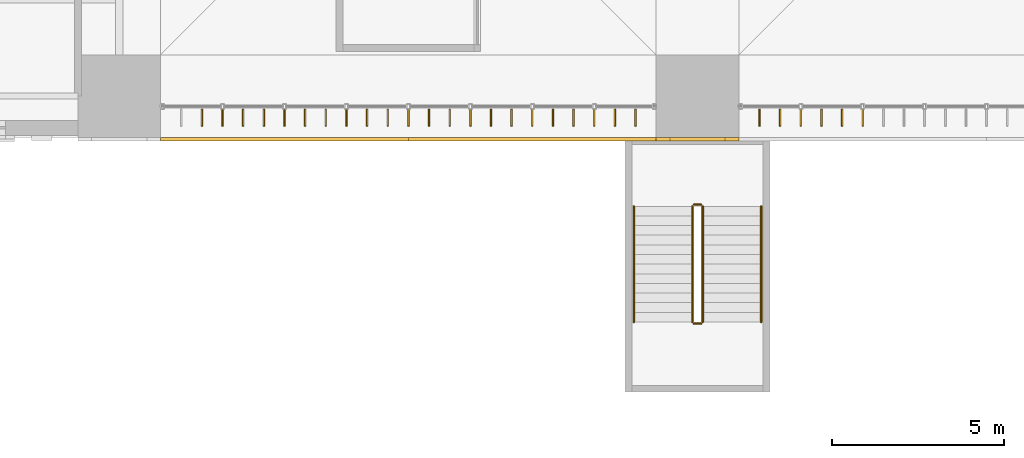
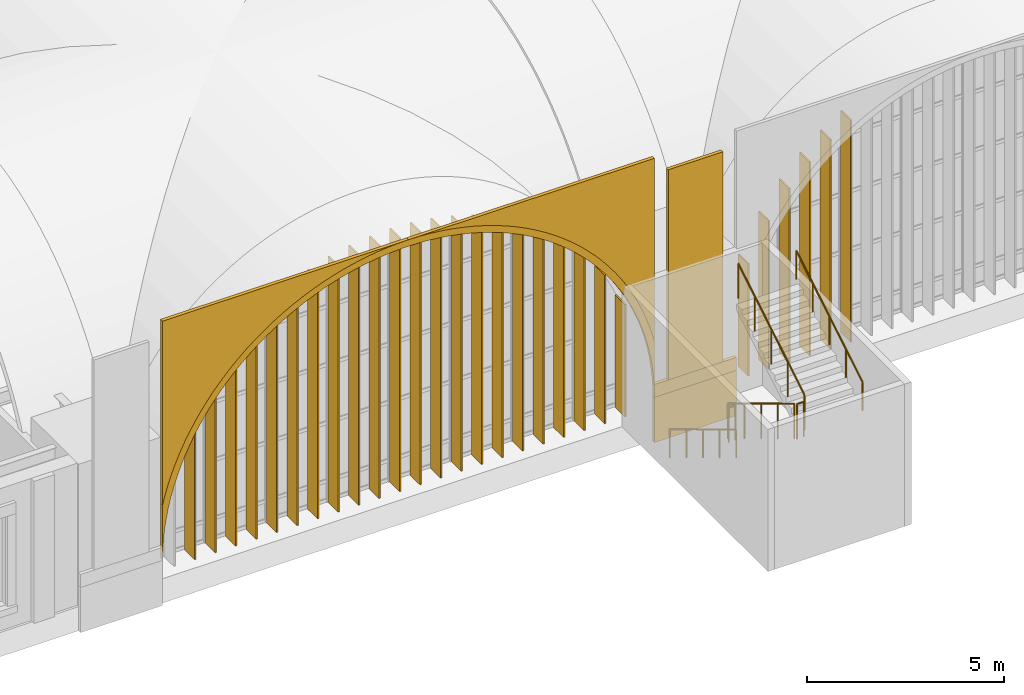
# One storey, part 148 of 169: 28 shading devices, 6 coverings, 6 railings.
"""IFC4 building model written with IfcOpenShell, lengths in metres."""

from ifc_helpers import new_model, si_unit, direction, frame, origin, origin_2d, place, context, subcontext, project, spatial, polyline, rectangle, circle, outline, extrude, material, layer, layer_set, type_object, element, save


model = new_model("IFC4")

# Units and contexts
model_context = context("Model", 3, precision=1e-05, world=origin(), true_north=direction((0.0, 1.0)))
body_context = subcontext(model_context, "Body", "Model", "MODEL_VIEW")
ifc_project = project(units=[si_unit("LENGTHUNIT", "METRE"), si_unit("AREAUNIT", "SQUARE_METRE"), si_unit("VOLUMEUNIT", "CUBIC_METRE"), si_unit("PLANEANGLEUNIT", "RADIAN"), si_unit("MASSUNIT", "GRAM", prefix="KILO")], contexts=[model_context])

# Site, building, storey
site_placement = place(None, origin())
site = spatial("IfcSite", under=ifc_project, at=site_placement, CompositionType="ELEMENT")
building_placement = place(site_placement, origin())
building = spatial("IfcBuilding", under=site, at=building_placement, Name="Verrick Yard Athletic Hall", CompositionType="ELEMENT")
storey_placement = place(building_placement, frame((0.0, 0.0, 4.39990234375)))
storey = spatial("IfcBuildingStorey", under=building, at=storey_placement, Name="L01", CompositionType="ELEMENT", Elevation=4.39990234375)

# Shading devices
ifc_material_1 = material(Name="Anodised aluminium", Category="aluminium")
ifc_layer_1 = layer(ifc_material_1, 0.0400390625)
ifc_layer_set_1 = layer_set([ifc_layer_1], Name="Arcade fin")
shading_device_type = type_object("IfcShadingDeviceType", Name="Arcade fin", PredefinedType="USERDEFINED", material=ifc_layer_set_1)
shading_device_1_placement = place(storey_placement, frame((42.39990234375, 18.82373046875, 0.0), z_axis=(0.0, 0.0, 1.0), x_axis=(0.0, -1.0, 0.0)))
element("IfcShadingDevice", 1, at=shading_device_1_placement, inside=storey, type_object=shading_device_type, Name="Fin RS1.2", ObjectType="FIN", PredefinedType="USERDEFINED", context=body_context, shape_type="SweptSolid", body=[
    extrude(outline(polyline([(0.0, 0.0), (0.5, 0.0), (0.5, 4.5966796875), (0.0, 4.5966796875), (0.0, 0.0)])), frame((0.0, 0.02001953125, 0.0), z_axis=(0.0, -1.0, 0.0), x_axis=(1.0, 0.0, 0.0)), (0.0, 0.0, 1.0), 0.0400390625),
])
shading_device_2_placement = place(storey_placement, frame((43.0, 18.82373046875, 0.0), z_axis=(0.0, 0.0, 1.0), x_axis=(0.0, -1.0, 0.0)))
element("IfcShadingDevice", 2, at=shading_device_2_placement, inside=storey, type_object=shading_device_type, Name="Fin RS1.3", ObjectType="FIN", PredefinedType="USERDEFINED", context=body_context, shape_type="SweptSolid", body=[
    extrude(outline(polyline([(0.0, 0.0), (0.5, 0.0), (0.5, 5.38671875), (0.0, 5.38671875), (0.0, 0.0)])), frame((0.0, 0.02001953125, 0.0), z_axis=(0.0, -1.0, 0.0), x_axis=(1.0, 0.0, 0.0)), (0.0, 0.0, 1.0), 0.0400390625),
])
shading_device_3_placement = place(storey_placement, frame((43.60009765625, 18.82373046875, 0.0), z_axis=(0.0, 0.0, 1.0), x_axis=(0.0, -1.0, 0.0)))
element("IfcShadingDevice", 3, at=shading_device_3_placement, inside=storey, type_object=shading_device_type, Name="Fin RS1.4", ObjectType="FIN", PredefinedType="USERDEFINED", context=body_context, shape_type="SweptSolid", body=[
    extrude(outline(polyline([(0.0, 0.0), (0.5, 0.0), (0.5, 5.996826171875), (0.0, 5.996826171875), (0.0, 0.0)])), frame((0.0, 0.02001953125, 0.0), z_axis=(0.0, -1.0, 0.0), x_axis=(1.0, 0.0, 0.0)), (0.0, 0.0, 1.0), 0.0400390625),
])
shading_device_4_placement = place(storey_placement, frame((44.199951171875, 18.82373046875, 0.0), z_axis=(0.0, 0.0, 1.0), x_axis=(0.0, -1.0, 0.0)))
element("IfcShadingDevice", 4, at=shading_device_4_placement, inside=storey, type_object=shading_device_type, Name="Fin RS1.5", ObjectType="FIN", PredefinedType="USERDEFINED", context=body_context, shape_type="SweptSolid", body=[
    extrude(outline(polyline([(0.0, 0.0), (0.5, 0.0), (0.5, 6.481201171875), (0.0, 6.481201171875), (0.0, 0.0)])), frame((0.0, 0.02001953125, 0.0), z_axis=(0.0, -1.0, 0.0), x_axis=(1.0, 0.0, 0.0)), (0.0, 0.0, 1.0), 0.0400390625),
])
shading_device_5_placement = place(storey_placement, frame((44.800048828125, 18.82373046875, 0.0), z_axis=(0.0, 0.0, 1.0), x_axis=(0.0, -1.0, 0.0)))
element("IfcShadingDevice", 5, at=shading_device_5_placement, inside=storey, type_object=shading_device_type, Name="Fin RS1.6", ObjectType="FIN", PredefinedType="USERDEFINED", context=body_context, shape_type="SweptSolid", body=[
    extrude(outline(polyline([(0.0, 0.0), (0.5, 0.0), (0.5, 6.872802734375), (0.0, 6.872802734375), (0.0, 0.0)])), frame((0.0, 0.02001953125, 0.0), z_axis=(0.0, -1.0, 0.0), x_axis=(1.0, 0.0, 0.0)), (0.0, 0.0, 1.0), 0.0400390625),
])
shading_device_6_placement = place(storey_placement, frame((45.39990234375, 18.82373046875, 0.0), z_axis=(0.0, 0.0, 1.0), x_axis=(0.0, -1.0, 0.0)))
element("IfcShadingDevice", 6, at=shading_device_6_placement, inside=storey, type_object=shading_device_type, Name="Fin RS1.7", ObjectType="FIN", PredefinedType="USERDEFINED", context=body_context, shape_type="SweptSolid", body=[
    extrude(outline(polyline([(0.0, 0.0), (0.5, 0.0), (0.5, 7.18505859375), (0.0, 7.18505859375), (0.0, 0.0)])), frame((0.0, 0.02001953125, 0.0), z_axis=(0.0, -1.0, 0.0), x_axis=(1.0, 0.0, 0.0)), (0.0, 0.0, 1.0), 0.0400390625),
])
shading_device_7_placement = place(storey_placement, frame((46.0, 18.82373046875, 0.0), z_axis=(0.0, 0.0, 1.0), x_axis=(0.0, -1.0, 0.0)))
element("IfcShadingDevice", 7, at=shading_device_7_placement, inside=storey, type_object=shading_device_type, Name="Fin RS1.8", ObjectType="FIN", PredefinedType="USERDEFINED", context=body_context, shape_type="SweptSolid", body=[
    extrude(outline(polyline([(0.0, 0.0), (0.5, 0.0), (0.5, 7.4296875), (0.0, 7.4296875), (0.0, 0.0)])), frame((0.0, 0.02001953125, 0.0), z_axis=(0.0, -1.0, 0.0), x_axis=(1.0, 0.0, 0.0)), (0.0, 0.0, 1.0), 0.0400390625),
])
shading_device_8_placement = place(storey_placement, frame((46.60009765625, 18.82373046875, 0.0), z_axis=(0.0, 0.0, 1.0), x_axis=(0.0, -1.0, 0.0)))
element("IfcShadingDevice", 8, at=shading_device_8_placement, inside=storey, type_object=shading_device_type, Name="Fin RS1.9", ObjectType="FIN", PredefinedType="USERDEFINED", context=body_context, shape_type="SweptSolid", body=[
    extrude(outline(polyline([(0.0, 0.0), (0.5, 0.0), (0.5, 7.614990234375), (0.0, 7.614990234375), (0.0, 0.0)])), frame((0.0, 0.02001953125, 0.0), z_axis=(0.0, -1.0, 0.0), x_axis=(1.0, 0.0, 0.0)), (0.0, 0.0, 1.0), 0.0400390625),
])
shading_device_9_placement = place(storey_placement, frame((47.199951171875, 18.82373046875, 0.0), z_axis=(0.0, 0.0, 1.0), x_axis=(0.0, -1.0, 0.0)))
element("IfcShadingDevice", 9, at=shading_device_9_placement, inside=storey, type_object=shading_device_type, Name="Fin RS1.10", ObjectType="FIN", PredefinedType="USERDEFINED", context=body_context, shape_type="SweptSolid", body=[
    extrude(outline(polyline([(0.0, 0.0), (0.5, 0.0), (0.5, 7.744873046875), (0.0, 7.744873046875), (0.0, 0.0)])), frame((0.0, 0.02001953125, 0.0), z_axis=(0.0, -1.0, 0.0), x_axis=(1.0, 0.0, 0.0)), (0.0, 0.0, 1.0), 0.0400390625),
])
shading_device_10_placement = place(storey_placement, frame((47.800048828125, 18.82373046875, 0.0), z_axis=(0.0, 0.0, 1.0), x_axis=(0.0, -1.0, 0.0)))
element("IfcShadingDevice", 10, at=shading_device_10_placement, inside=storey, type_object=shading_device_type, Name="Fin RS1.11", ObjectType="FIN", PredefinedType="USERDEFINED", context=body_context, shape_type="SweptSolid", body=[
    extrude(outline(polyline([(0.0, 0.0), (0.5, 0.0), (0.5, 7.82275390625), (0.0, 7.82275390625), (0.0, 0.0)])), frame((0.0, 0.02001953125, 0.0), z_axis=(0.0, -1.0, 0.0), x_axis=(1.0, 0.0, 0.0)), (0.0, 0.0, 1.0), 0.0400390625),
])
shading_device_11_placement = place(storey_placement, frame((48.39990234375, 18.82373046875, 0.0), z_axis=(0.0, 0.0, 1.0), x_axis=(0.0, -1.0, 0.0)))
element("IfcShadingDevice", 11, at=shading_device_11_placement, inside=storey, type_object=shading_device_type, Name="Fin RS1.12", ObjectType="FIN", PredefinedType="USERDEFINED", context=body_context, shape_type="SweptSolid", body=[
    extrude(outline(polyline([(0.0, 0.0), (0.5, 0.0), (0.5, 7.84912109375), (0.0, 7.84912109375), (0.0, 0.0)])), frame((0.0, 0.02001953125, 0.0), z_axis=(0.0, -1.0, 0.0), x_axis=(1.0, 0.0, 0.0)), (0.0, 0.0, 1.0), 0.0400390625),
])
shading_device_12_placement = place(storey_placement, frame((49.0, 18.82373046875, 0.0), z_axis=(0.0, 0.0, 1.0), x_axis=(0.0, -1.0, 0.0)))
element("IfcShadingDevice", 12, at=shading_device_12_placement, inside=storey, type_object=shading_device_type, Name="Fin RS1.13", ObjectType="FIN", PredefinedType="USERDEFINED", context=body_context, shape_type="SweptSolid", body=[
    extrude(outline(polyline([(0.0, 0.0), (0.5, 0.0), (0.5, 7.82275390625), (0.0, 7.82275390625), (0.0, 0.0)])), frame((0.0, 0.02001953125, 0.0), z_axis=(0.0, -1.0, 0.0), x_axis=(1.0, 0.0, 0.0)), (0.0, 0.0, 1.0), 0.0400390625),
])
shading_device_13_placement = place(storey_placement, frame((49.60009765625, 18.82373046875, 0.0), z_axis=(0.0, 0.0, 1.0), x_axis=(0.0, -1.0, 0.0)))
element("IfcShadingDevice", 13, at=shading_device_13_placement, inside=storey, type_object=shading_device_type, Name="Fin RS1.14", ObjectType="FIN", PredefinedType="USERDEFINED", context=body_context, shape_type="SweptSolid", body=[
    extrude(outline(polyline([(0.0, 0.0), (0.5, 0.0), (0.5, 7.744873046875), (0.0, 7.744873046875), (0.0, 0.0)])), frame((0.0, 0.02001953125, 0.0), z_axis=(0.0, -1.0, 0.0), x_axis=(1.0, 0.0, 0.0)), (0.0, 0.0, 1.0), 0.0400390625),
])
shading_device_14_placement = place(storey_placement, frame((50.199951171875, 18.82373046875, 0.0), z_axis=(0.0, 0.0, 1.0), x_axis=(0.0, -1.0, 0.0)))
element("IfcShadingDevice", 14, at=shading_device_14_placement, inside=storey, type_object=shading_device_type, Name="Fin RS1.15", ObjectType="FIN", PredefinedType="USERDEFINED", context=body_context, shape_type="SweptSolid", body=[
    extrude(outline(polyline([(0.0, 0.0), (0.5, 0.0), (0.5, 7.614990234375), (0.0, 7.614990234375), (0.0, 0.0)])), frame((0.0, 0.02001953125, 0.0), z_axis=(0.0, -1.0, 0.0), x_axis=(1.0, 0.0, 0.0)), (0.0, 0.0, 1.0), 0.0400390625),
])
shading_device_15_placement = place(storey_placement, frame((50.800048828125, 18.82373046875, 0.0), z_axis=(0.0, 0.0, 1.0), x_axis=(0.0, -1.0, 0.0)))
element("IfcShadingDevice", 15, at=shading_device_15_placement, inside=storey, type_object=shading_device_type, Name="Fin RS1.16", ObjectType="FIN", PredefinedType="USERDEFINED", context=body_context, shape_type="SweptSolid", body=[
    extrude(outline(polyline([(0.0, 0.0), (0.5, 0.0), (0.5, 7.4296875), (0.0, 7.4296875), (0.0, 0.0)])), frame((0.0, 0.02001953125, 0.0), z_axis=(0.0, -1.0, 0.0), x_axis=(1.0, 0.0, 0.0)), (0.0, 0.0, 1.0), 0.0400390625),
])
shading_device_16_placement = place(storey_placement, frame((51.39990234375, 18.82373046875, 0.0), z_axis=(0.0, 0.0, 1.0), x_axis=(0.0, -1.0, 0.0)))
element("IfcShadingDevice", 16, at=shading_device_16_placement, inside=storey, type_object=shading_device_type, Name="Fin RS1.17", ObjectType="FIN", PredefinedType="USERDEFINED", context=body_context, shape_type="SweptSolid", body=[
    extrude(outline(polyline([(0.0, 0.0), (0.5, 0.0), (0.5, 7.18505859375), (0.0, 7.18505859375), (0.0, 0.0)])), frame((0.0, 0.02001953125, 0.0), z_axis=(0.0, -1.0, 0.0), x_axis=(1.0, 0.0, 0.0)), (0.0, 0.0, 1.0), 0.0400390625),
])
shading_device_17_placement = place(storey_placement, frame((52.0, 18.82373046875, 0.0), z_axis=(0.0, 0.0, 1.0), x_axis=(0.0, -1.0, 0.0)))
element("IfcShadingDevice", 17, at=shading_device_17_placement, inside=storey, type_object=shading_device_type, Name="Fin RS1.18", ObjectType="FIN", PredefinedType="USERDEFINED", context=body_context, shape_type="SweptSolid", body=[
    extrude(outline(polyline([(0.0, 0.0), (0.5, 0.0), (0.5, 6.872802734375), (0.0, 6.872802734375), (0.0, 0.0)])), frame((0.0, 0.02001953125, 0.0), z_axis=(0.0, -1.0, 0.0), x_axis=(1.0, 0.0, 0.0)), (0.0, 0.0, 1.0), 0.0400390625),
])
shading_device_18_placement = place(storey_placement, frame((52.60009765625, 18.82373046875, 0.0), z_axis=(0.0, 0.0, 1.0), x_axis=(0.0, -1.0, 0.0)))
element("IfcShadingDevice", 18, at=shading_device_18_placement, inside=storey, type_object=shading_device_type, Name="Fin RS1.19", ObjectType="FIN", PredefinedType="USERDEFINED", context=body_context, shape_type="SweptSolid", body=[
    extrude(outline(polyline([(0.0, 0.0), (0.5, 0.0), (0.5, 6.481201171875), (0.0, 6.481201171875), (0.0, 0.0)])), frame((0.0, 0.02001953125, 0.0), z_axis=(0.0, -1.0, 0.0), x_axis=(1.0, 0.0, 0.0)), (0.0, 0.0, 1.0), 0.0400390625),
])
shading_device_19_placement = place(storey_placement, frame((53.199951171875, 18.82373046875, 0.0), z_axis=(0.0, 0.0, 1.0), x_axis=(0.0, -1.0, 0.0)))
element("IfcShadingDevice", 19, at=shading_device_19_placement, inside=storey, type_object=shading_device_type, Name="Fin RS1.20", ObjectType="FIN", PredefinedType="USERDEFINED", context=body_context, shape_type="SweptSolid", body=[
    extrude(outline(polyline([(0.0, 0.0), (0.5, 0.0), (0.5, 5.996826171875), (0.0, 5.996826171875), (0.0, 0.0)])), frame((0.0, 0.02001953125, 0.0), z_axis=(0.0, -1.0, 0.0), x_axis=(1.0, 0.0, 0.0)), (0.0, 0.0, 1.0), 0.0400390625),
])
shading_device_20_placement = place(storey_placement, frame((53.800048828125, 18.82373046875, 0.0), z_axis=(0.0, 0.0, 1.0), x_axis=(0.0, -1.0, 0.0)))
element("IfcShadingDevice", 20, at=shading_device_20_placement, inside=storey, type_object=shading_device_type, Name="Fin RS1.21", ObjectType="FIN", PredefinedType="USERDEFINED", context=body_context, shape_type="SweptSolid", body=[
    extrude(outline(polyline([(0.0, 0.0), (0.5, 0.0), (0.5, 5.38671875), (0.0, 5.38671875), (0.0, 0.0)])), frame((0.0, 0.02001953125, 0.0), z_axis=(0.0, -1.0, 0.0), x_axis=(1.0, 0.0, 0.0)), (0.0, 0.0, 1.0), 0.0400390625),
])
shading_device_21_placement = place(storey_placement, frame((54.39990234375, 18.82373046875, 0.0), z_axis=(0.0, 0.0, 1.0), x_axis=(0.0, -1.0, 0.0)))
element("IfcShadingDevice", 21, at=shading_device_21_placement, inside=storey, type_object=shading_device_type, Name="Fin RS1.22", ObjectType="FIN", PredefinedType="USERDEFINED", context=body_context, shape_type="SweptSolid", body=[
    extrude(outline(polyline([(0.0, 0.0), (0.5, 0.0), (0.5, 4.5966796875), (0.0, 4.5966796875), (0.0, 0.0)])), frame((0.0, 0.02001953125, 0.0), z_axis=(0.0, -1.0, 0.0), x_axis=(1.0, 0.0, 0.0)), (0.0, 0.0, 1.0), 0.0400390625),
])
for number, where, z_axis, x_axis, name in (
    (22, (55.0, 18.82373046875, 0.0), (0.0, 0.0, 1.0), (0.0, -1.0, 0.0), "Fin RS1.23"),
    (23, (58.60009765625, 18.82373046875, 0.0), (0.0, 0.0, 1.0), (0.0, -1.0, 0.0), "Fin RS2.1"),
):
    element("IfcShadingDevice", number, at=place(storey_placement, frame(where, z_axis=z_axis, x_axis=x_axis)), inside=storey, type_object=shading_device_type, Name=name, ObjectType="FIN", PredefinedType="USERDEFINED", context=body_context, shape_type="SweptSolid", body=[
        extrude(outline(polyline([(0.0, 0.0), (0.5, 0.0), (0.5, 3.4775390625), (0.0, 3.4775390625), (0.0, 0.0)])), frame((0.0, 0.02001953125, 0.0), z_axis=(0.0, -1.0, 0.0), x_axis=(1.0, 0.0, 0.0)), (0.0, 0.0, 1.0), 0.0400390625),
    ])
shading_device_22_placement = place(storey_placement, frame((59.199951171875, 18.82373046875, 0.0), z_axis=(0.0, 0.0, 1.0), x_axis=(0.0, -1.0, 0.0)))
element("IfcShadingDevice", 24, at=shading_device_22_placement, inside=storey, type_object=shading_device_type, Name="Fin RS2.2", ObjectType="FIN", PredefinedType="USERDEFINED", context=body_context, shape_type="SweptSolid", body=[
    extrude(outline(polyline([(0.0, 0.0), (0.5, 0.0), (0.5, 4.5966796875), (0.0, 4.5966796875), (0.0, 0.0)])), frame((0.0, 0.02001953125, 0.0), z_axis=(0.0, -1.0, 0.0), x_axis=(1.0, 0.0, 0.0)), (0.0, 0.0, 1.0), 0.0400390625),
])
shading_device_23_placement = place(storey_placement, frame((59.800048828125, 18.82373046875, 0.0), z_axis=(0.0, 0.0, 1.0), x_axis=(0.0, -1.0, 0.0)))
element("IfcShadingDevice", 25, at=shading_device_23_placement, inside=storey, type_object=shading_device_type, Name="Fin RS2.3", ObjectType="FIN", PredefinedType="USERDEFINED", context=body_context, shape_type="SweptSolid", body=[
    extrude(outline(polyline([(0.0, 0.0), (0.5, 0.0), (0.5, 5.38671875), (0.0, 5.38671875), (0.0, 0.0)])), frame((0.0, 0.02001953125, 0.0), z_axis=(0.0, -1.0, 0.0), x_axis=(1.0, 0.0, 0.0)), (0.0, 0.0, 1.0), 0.0400390625),
])
shading_device_24_placement = place(storey_placement, frame((60.39990234375, 18.82373046875, 0.0), z_axis=(0.0, 0.0, 1.0), x_axis=(0.0, -1.0, 0.0)))
element("IfcShadingDevice", 26, at=shading_device_24_placement, inside=storey, type_object=shading_device_type, Name="Fin RS2.4", ObjectType="FIN", PredefinedType="USERDEFINED", context=body_context, shape_type="SweptSolid", body=[
    extrude(outline(polyline([(0.0, 0.0), (0.5, 0.0), (0.5, 5.996826171875), (0.0, 5.996826171875), (0.0, 0.0)])), frame((0.0, 0.02001953125, 0.0), z_axis=(0.0, -1.0, 0.0), x_axis=(1.0, 0.0, 0.0)), (0.0, 0.0, 1.0), 0.0400390625),
])
shading_device_25_placement = place(storey_placement, frame((61.0, 18.82373046875, 0.0), z_axis=(0.0, 0.0, 1.0), x_axis=(0.0, -1.0, 0.0)))
element("IfcShadingDevice", 27, at=shading_device_25_placement, inside=storey, type_object=shading_device_type, Name="Fin RS2.5", ObjectType="FIN", PredefinedType="USERDEFINED", context=body_context, shape_type="SweptSolid", body=[
    extrude(outline(polyline([(0.0, 0.0), (0.5, 0.0), (0.5, 6.481201171875), (0.0, 6.481201171875), (0.0, 0.0)])), frame((0.0, 0.02001953125, 0.0), z_axis=(0.0, -1.0, 0.0), x_axis=(1.0, 0.0, 0.0)), (0.0, 0.0, 1.0), 0.0400390625),
])
shading_device_26_placement = place(storey_placement, frame((61.60009765625, 18.82373046875, 0.0), z_axis=(0.0, 0.0, 1.0), x_axis=(0.0, -1.0, 0.0)))
element("IfcShadingDevice", 28, at=shading_device_26_placement, inside=storey, type_object=shading_device_type, Name="Fin RS2.6", ObjectType="FIN", PredefinedType="USERDEFINED", context=body_context, shape_type="SweptSolid", body=[
    extrude(outline(polyline([(0.0, 0.0), (0.5, 0.0), (0.5, 6.872802734375), (0.0, 6.872802734375), (0.0, 0.0)])), frame((0.0, 0.02001953125, 0.0), z_axis=(0.0, -1.0, 0.0), x_axis=(1.0, 0.0, 0.0)), (0.0, 0.0, 1.0), 0.0400390625),
])

# Coverings
ifc_material_2 = material(Name="Limestone cladding", Category="masonry")
ifc_layer_2 = layer(ifc_material_2, 0.10009765625)
ifc_layer_set_2 = layer_set([ifc_layer_2], Name="Arch ring cladding")
covering_type_1 = type_object("IfcCoveringType", Name="Arch ring cladding", PredefinedType="CLADDING", material=ifc_layer_set_2)
covering_1_placement = place(storey_placement, frame((41.199951171875, 17.949951171875, 0.650146484375), z_axis=(0.0, 0.0, 1.0), x_axis=(1.0, 0.0, 0.0)))
element("IfcCovering", 29, at=covering_1_placement, inside=storey, type_object=covering_type_1, Name="Arch ring RS1", PredefinedType="CLADDING", context=body_context, shape_type="SweptSolid", body=[
    extrude(outline(polyline([(0.0, 1.7021484375), (0.0, 0.0), (0.0068359375, 0.31396484375), (0.02734375, 0.62744140625), (0.0615234375, 0.939697265625), (0.109375, 1.250244140625), (0.170654296875, 1.558349609375), (0.245361328125, 1.863525390625), (0.333251953125, 2.1650390625), (0.43408203125, 2.46240234375), (0.548095703125, 2.75537109375), (0.674560546875, 3.04296875), (0.8134765625, 3.324462890625), (0.964599609375, 3.599853515625), (1.127685546875, 3.86865234375), (1.302001953125, 4.129638671875), (1.48779296875, 4.383056640625), (1.6845703125, 4.6279296875), (1.8916015625, 4.8642578125), (2.10888671875, 5.091064453125), (2.335693359375, 5.308349609375), (2.572021484375, 5.515380859375), (2.81689453125, 5.712158203125), (3.0703125, 5.89794921875), (3.331298828125, 6.072265625), (3.60009765625, 6.2353515625), (3.87548828125, 6.386474609375), (4.156982421875, 6.525390625), (4.444580078125, 6.65185546875), (4.737548828125, 6.765869140625), (5.034912109375, 6.86669921875), (5.33642578125, 6.95458984375), (5.6416015625, 7.029296875), (5.94970703125, 7.090576171875), (6.26025390625, 7.138427734375), (6.572509765625, 7.172607421875), (6.885986328125, 7.193115234375), (7.199951171875, 7.199951171875), (7.51416015625, 7.193115234375), (7.827392578125, 7.172607421875), (8.139892578125, 7.138427734375), (8.4501953125, 7.090576171875), (8.75830078125, 7.029296875), (9.0634765625, 6.95458984375), (9.364990234375, 6.86669921875), (9.66259765625, 6.765869140625), (9.955322265625, 6.65185546875), (10.242919921875, 6.525390625), (10.524658203125, 6.386474609375), (10.800048828125, 6.2353515625), (11.068603515625, 6.072265625), (11.329833984375, 5.89794921875), (11.5830078125, 5.712158203125), (11.828125, 5.515380859375), (12.064208984375, 5.308349609375), (12.291259765625, 5.091064453125), (12.50830078125, 4.8642578125), (12.715576171875, 4.6279296875), (12.912109375, 4.383056640625), (13.097900390625, 4.129638671875), (13.2724609375, 3.86865234375), (13.435302734375, 3.599853515625), (13.58642578125, 3.324462890625), (13.725341796875, 3.04296875), (13.851806640625, 2.75537109375), (13.9658203125, 2.46240234375), (14.06689453125, 2.1650390625), (14.15478515625, 1.863525390625), (14.229248046875, 1.558349609375), (14.29052734375, 1.250244140625), (14.33837890625, 0.939697265625), (14.37255859375, 0.62744140625), (14.39306640625, 0.31396484375), (14.39990234375, 0.0), (14.39990234375, 1.7021484375), (14.347900390625, 1.915283203125), (14.257568359375, 2.22509765625), (14.15380859375, 2.53076171875), (14.03662109375, 2.831787109375), (13.90673828125, 3.12744140625), (13.763916015625, 3.416748046875), (13.608642578125, 3.699951171875), (13.441162109375, 3.975830078125), (13.26171875, 4.244384765625), (13.07080078125, 4.504638671875), (12.86865234375, 4.756591796875), (12.656005859375, 4.999267578125), (12.4326171875, 5.232666015625), (12.199462890625, 5.455810546875), (11.95654296875, 5.668701171875), (11.704833984375, 5.870849609375), (11.444580078125, 6.061767578125), (11.176025390625, 6.240966796875), (10.89990234375, 6.408447265625), (10.616943359375, 6.56396484375), (10.327392578125, 6.70654296875), (10.031982421875, 6.836669921875), (9.73095703125, 6.95361328125), (9.42529296875, 7.057373046875), (9.115234375, 7.14794921875), (8.8017578125, 7.224609375), (8.485107421875, 7.28759765625), (8.166015625, 7.336669921875), (7.844970703125, 7.371826171875), (7.522705078125, 7.39306640625), (7.199951171875, 7.39990234375), (6.877197265625, 7.39306640625), (6.554931640625, 7.371826171875), (6.234130859375, 7.336669921875), (5.9150390625, 7.28759765625), (5.598388671875, 7.224609375), (5.28466796875, 7.14794921875), (4.974853515625, 7.057373046875), (4.669189453125, 6.95361328125), (4.3681640625, 6.836669921875), (4.072509765625, 6.70654296875), (3.783203125, 6.56396484375), (3.5, 6.408447265625), (3.22412109375, 6.240966796875), (2.95556640625, 6.061767578125), (2.6953125, 5.870849609375), (2.443359375, 5.668701171875), (2.20068359375, 5.455810546875), (1.96728515625, 5.232666015625), (1.744140625, 4.999267578125), (1.53125, 4.756591796875), (1.3291015625, 4.504638671875), (1.13818359375, 4.244384765625), (0.958984375, 3.975830078125), (0.79150390625, 3.699951171875), (0.635986328125, 3.416748046875), (0.493408203125, 3.12744140625), (0.36328125, 2.831787109375), (0.246337890625, 2.53076171875), (0.142578125, 2.22509765625), (0.052001953125, 1.915283203125), (0.0, 1.7021484375)])), frame((0.0, 0.050048828125, 0.0), z_axis=(0.0, -1.0, 0.0), x_axis=(1.0, 0.0, 0.0)), (0.0, 0.0, 1.0), 0.10009765625),
])
ifc_layer_3 = layer(ifc_material_2, 0.10009765625)
ifc_layer_set_3 = layer_set([ifc_layer_3], Name="Impost and capital moulding")
covering_type_2 = type_object("IfcCoveringType", Name="Impost and capital moulding", PredefinedType="MOLDING", material=ifc_layer_set_3)
covering_2_placement = place(storey_placement, frame((56.800048828125, 17.949951171875, 0.650146484375), z_axis=(0.0, 0.0, 1.0), x_axis=(1.0, 0.0, 0.0)))
element("IfcCovering", 30, at=covering_2_placement, inside=storey, type_object=covering_type_2, Name="Impost S2", PredefinedType="MOLDING", context=body_context, shape_type="SweptSolid", body=[
    extrude(rectangle(XDim=2.39990234375, YDim=0.10009765625, at=origin_2d()), origin(), (0.0, 0.0, 1.0), 0.39990234375),
])
ifc_material_3 = material(Name="Rusticated limestone cladding", Category="masonry")
ifc_layer_4 = layer(ifc_material_3, 0.10009765625)
ifc_layer_set_4 = layer_set([ifc_layer_4], Name="Pier base cladding")
covering_type_3 = type_object("IfcCoveringType", Name="Pier base cladding", PredefinedType="CLADDING", material=ifc_layer_set_4)
covering_3_placement = place(storey_placement, frame((56.800048828125, 17.949951171875, -0.749755859375), z_axis=(0.0, 0.0, 1.0), x_axis=(1.0, 0.0, 0.0)))
element("IfcCovering", 31, at=covering_3_placement, inside=storey, type_object=covering_type_3, Name="Pier string S2", PredefinedType="CLADDING", context=body_context, shape_type="SweptSolid", body=[
    extrude(rectangle(XDim=2.39990234375, YDim=0.10009765625, at=origin_2d()), origin(), (0.0, 0.0, 1.0), 1.39990234375),
])
ifc_layer_5 = layer(ifc_material_2, 0.10009765625)
ifc_layer_set_5 = layer_set([ifc_layer_5], Name="Pilaster cladding")
covering_type_4 = type_object("IfcCoveringType", Name="Pilaster cladding", PredefinedType="CLADDING", material=ifc_layer_set_5)
covering_4_placement = place(storey_placement, frame((56.800048828125, 17.949951171875, 1.050048828125), z_axis=(0.0, 0.0, 1.0), x_axis=(1.0, 0.0, 0.0)))
element("IfcCovering", 32, at=covering_4_placement, inside=storey, type_object=covering_type_4, Name="Pilaster S2", PredefinedType="CLADDING", context=body_context, shape_type="SweptSolid", body=[
    extrude(rectangle(XDim=1.60009765625, YDim=0.10009765625, at=origin_2d()), origin(), (0.0, 0.0, 1.0), 6.5),
])
ifc_layer_6 = layer(ifc_material_2, 0.10009765625)
ifc_layer_set_6 = layer_set([ifc_layer_6], Name="Spandrel cladding")
covering_type_5 = type_object("IfcCoveringType", Name="Spandrel cladding", PredefinedType="CLADDING", material=ifc_layer_set_6)
covering_5_placement = place(storey_placement, frame((41.199951171875, 17.949951171875, 2.352294921875), z_axis=(0.0, 0.0, 1.0), x_axis=(1.0, 0.0, 0.0)))
element("IfcCovering", 33, at=covering_5_placement, inside=storey, type_object=covering_type_5, Name="Spandrel RS1.1", PredefinedType="CLADDING", context=body_context, shape_type="SweptSolid", body=[
    extrude(outline(polyline([(0.0, 0.0), (0.052001953125, 0.213134765625), (0.142578125, 0.52294921875), (0.246337890625, 0.82861328125), (0.36328125, 1.129638671875), (0.493408203125, 1.42529296875), (0.635986328125, 1.714599609375), (0.79150390625, 1.997802734375), (0.958984375, 2.273681640625), (1.13818359375, 2.542236328125), (1.3291015625, 2.802490234375), (1.53125, 3.054443359375), (1.744140625, 3.297119140625), (1.96728515625, 3.530517578125), (2.20068359375, 3.753662109375), (2.443359375, 3.966552734375), (2.6953125, 4.168701171875), (2.95556640625, 4.359619140625), (3.22412109375, 4.538818359375), (3.5, 4.706298828125), (3.783203125, 4.86181640625), (4.072509765625, 5.00439453125), (4.3681640625, 5.134521484375), (4.669189453125, 5.25146484375), (4.974853515625, 5.355224609375), (5.28466796875, 5.44580078125), (5.598388671875, 5.5224609375), (5.9150390625, 5.58544921875), (6.234130859375, 5.634521484375), (6.554931640625, 5.669677734375), (6.877197265625, 5.69091796875), (7.199951171875, 5.69775390625), (0.0, 5.69775390625), (0.0, 0.0)])), frame((0.0, 0.050048828125, 0.0), z_axis=(0.0, -1.0, 0.0), x_axis=(1.0, 0.0, 0.0)), (0.0, 0.0, 1.0), 0.10009765625),
])
covering_6_placement = place(storey_placement, frame((41.199951171875, 17.949951171875, 2.352294921875), z_axis=(0.0, 0.0, 1.0), x_axis=(1.0, 0.0, 0.0)))
element("IfcCovering", 34, at=covering_6_placement, inside=storey, type_object=covering_type_5, Name="Spandrel RS1.2", PredefinedType="CLADDING", context=body_context, shape_type="SweptSolid", body=[
    extrude(outline(polyline([(7.199951171875, 5.69775390625), (7.522705078125, 5.69091796875), (7.844970703125, 5.669677734375), (8.166015625, 5.634521484375), (8.485107421875, 5.58544921875), (8.8017578125, 5.5224609375), (9.115234375, 5.44580078125), (9.42529296875, 5.355224609375), (9.73095703125, 5.25146484375), (10.031982421875, 5.134521484375), (10.327392578125, 5.00439453125), (10.616943359375, 4.86181640625), (10.89990234375, 4.706298828125), (11.176025390625, 4.538818359375), (11.444580078125, 4.359619140625), (11.704833984375, 4.168701171875), (11.95654296875, 3.966552734375), (12.199462890625, 3.753662109375), (12.4326171875, 3.530517578125), (12.656005859375, 3.297119140625), (12.86865234375, 3.054443359375), (13.07080078125, 2.802490234375), (13.26171875, 2.542236328125), (13.441162109375, 2.273681640625), (13.608642578125, 1.997802734375), (13.763916015625, 1.714599609375), (13.90673828125, 1.42529296875), (14.03662109375, 1.129638671875), (14.15380859375, 0.82861328125), (14.257568359375, 0.52294921875), (14.347900390625, 0.213134765625), (14.39990234375, 0.0), (14.39990234375, 5.69775390625), (7.199951171875, 5.69775390625)])), frame((0.0, 0.050048828125, 0.0), z_axis=(0.0, -1.0, 0.0), x_axis=(1.0, 0.0, 0.0)), (0.0, 0.0, 1.0), 0.10009765625),
])

# Railings
ifc_material_4 = material(Name="Stainless steel", Category="steel")
railing_type_1 = type_object("IfcRailingType", Name="Stair and core guard 1100", PredefinedType="GUARDRAIL", material=ifc_material_4)
railing_1_placement = place(storey_placement, frame((56.64990234375, 16.0, 0.16943359375)))
element("IfcRailing", 35, at=railing_1_placement, inside=storey, type_object=railing_type_1, Name="L01 South deck escape 1 stair guard 1", PredefinedType="GUARDRAIL", context=body_context, shape_type="SweptSolid", body=[
    extrude(circle(Radius=0.02392578125, at=origin_2d()), frame((0.0, 0.0, 1.076171875), z_axis=(0.0, -0.855836976705, 0.517245656632), x_axis=(1.0, 0.0, 0.0)), (0.0, 0.0, 1.0), 3.926025390625),
    extrude(circle(Radius=0.02099609375, at=origin_2d()), origin(), (0.0, 0.0, 1.0), 1.052001953125),
    extrude(circle(Radius=0.02099609375, at=origin_2d()), frame((0.0, -0.840087890625, 0.5078125)), (0.0, 0.0, 1.0), 1.052001953125),
    extrude(circle(Radius=0.02099609375, at=origin_2d()), frame((0.0, -1.68017578125, 1.015380859375)), (0.0, 0.0, 1.0), 1.052001953125),
    extrude(circle(Radius=0.02099609375, at=origin_2d()), frame((0.0, -2.52001953125, 1.52294921875)), (0.0, 0.0, 1.0), 1.052001953125),
    extrude(circle(Radius=0.02099609375, at=origin_2d()), frame((0.0, -3.360107421875, 2.03076171875)), (0.0, 0.0, 1.0), 1.052001953125),
])
railing_2_placement = place(storey_placement, frame((56.699951171875, 12.590087890625, 2.2001953125)))
element("IfcRailing", 36, at=railing_2_placement, inside=storey, type_object=railing_type_1, Name="L01 South deck escape 1 stair guard 2", PredefinedType="GUARDRAIL", context=body_context, shape_type="SweptSolid", body=[
    extrude(circle(Radius=0.02392578125, at=origin_2d()), frame((0.0, 0.0, 1.076171875), z_axis=(1.0, 0.0, 0.0), x_axis=(0.0, 1.0, 0.0)), (0.0, 0.0, 1.0), 0.199951171875),
    extrude(circle(Radius=0.02099609375, at=origin_2d()), origin(), (0.0, 0.0, 1.0), 1.052001953125),
    extrude(circle(Radius=0.02099609375, at=origin_2d()), frame((0.199951171875, 0.0, 0.0)), (0.0, 0.0, 1.0), 1.052001953125),
])
railing_3_placement = place(storey_placement, frame((56.949951171875, 12.639892578125, 2.369384765625)))
element("IfcRailing", 37, at=railing_3_placement, inside=storey, type_object=railing_type_1, Name="L01 South deck escape 1 stair guard 3", PredefinedType="GUARDRAIL", context=body_context, shape_type="SweptSolid", body=[
    extrude(circle(Radius=0.02392578125, at=origin_2d()), frame((0.0, 0.0, 1.076171875), z_axis=(0.0, 0.855836976705, 0.517245656632), x_axis=(-1.0, 0.0, 0.0)), (0.0, 0.0, 1.0), 3.926025390625),
    extrude(circle(Radius=0.02099609375, at=origin_2d()), origin(), (0.0, 0.0, 1.0), 1.052001953125),
    extrude(circle(Radius=0.02099609375, at=origin_2d()), frame((0.0, 0.840087890625, 0.5078125)), (0.0, 0.0, 1.0), 1.052001953125),
    extrude(circle(Radius=0.02099609375, at=origin_2d()), frame((0.0, 1.68017578125, 1.015380859375)), (0.0, 0.0, 1.0), 1.052001953125),
    extrude(circle(Radius=0.02099609375, at=origin_2d()), frame((0.0, 2.52001953125, 1.52294921875)), (0.0, 0.0, 1.0), 1.052001953125),
    extrude(circle(Radius=0.02099609375, at=origin_2d()), frame((0.0, 3.360107421875, 2.03076171875)), (0.0, 0.0, 1.0), 1.052001953125),
])
railing_4_placement = place(storey_placement, frame((56.699951171875, 16.050048828125, 0.0)))
element("IfcRailing", 38, at=railing_4_placement, inside=storey, type_object=railing_type_1, Name="L01 South deck escape 1 stair guard 4", PredefinedType="GUARDRAIL", context=body_context, shape_type="SweptSolid", body=[
    extrude(circle(Radius=0.02392578125, at=origin_2d()), frame((0.0, 0.0, 1.076171875), z_axis=(1.0, 0.0, 0.0), x_axis=(0.0, 1.0, 0.0)), (0.0, 0.0, 1.0), 0.199951171875),
    extrude(circle(Radius=0.02099609375, at=origin_2d()), origin(), (0.0, 0.0, 1.0), 1.052001953125),
    extrude(circle(Radius=0.02099609375, at=origin_2d()), frame((0.199951171875, 0.0, 0.0)), (0.0, 0.0, 1.0), 1.052001953125),
])
railing_type_2 = type_object("IfcRailingType", Name="Stair handrail 900", PredefinedType="HANDRAIL", material=ifc_material_4)
railing_5_placement = place(storey_placement, frame((54.949951171875, 16.0, 0.16943359375)))
element("IfcRailing", 39, at=railing_5_placement, inside=storey, type_object=railing_type_2, Name="L01 South deck escape 1 stair handrail 1", PredefinedType="HANDRAIL", context=body_context, shape_type="SweptSolid", body=[
    extrude(circle(Radius=0.02392578125, at=origin_2d()), frame((0.0, 0.0, 0.8759765625), z_axis=(0.0, -0.855836976705, 0.517245656632), x_axis=(1.0, 0.0, 0.0)), (0.0, 0.0, 1.0), 3.926025390625),
    extrude(circle(Radius=0.02099609375, at=origin_2d()), origin(), (0.0, 0.0, 1.0), 0.851806640625),
    extrude(circle(Radius=0.02099609375, at=origin_2d()), frame((0.0, -0.840087890625, 0.5078125)), (0.0, 0.0, 1.0), 0.851806640625),
    extrude(circle(Radius=0.02099609375, at=origin_2d()), frame((0.0, -1.68017578125, 1.015380859375)), (0.0, 0.0, 1.0), 0.851806640625),
    extrude(circle(Radius=0.02099609375, at=origin_2d()), frame((0.0, -2.52001953125, 1.52294921875)), (0.0, 0.0, 1.0), 0.851806640625),
    extrude(circle(Radius=0.02099609375, at=origin_2d()), frame((0.0, -3.360107421875, 2.03076171875)), (0.0, 0.0, 1.0), 0.851806640625),
])
railing_6_placement = place(storey_placement, frame((58.64990234375, 12.639892578125, 2.369384765625)))
element("IfcRailing", 40, at=railing_6_placement, inside=storey, type_object=railing_type_2, Name="L01 South deck escape 1 stair handrail 2", PredefinedType="HANDRAIL", context=body_context, shape_type="SweptSolid", body=[
    extrude(circle(Radius=0.02392578125, at=origin_2d()), frame((0.0, 0.0, 0.8759765625), z_axis=(0.0, 0.855836976705, 0.517245656632), x_axis=(-1.0, 0.0, 0.0)), (0.0, 0.0, 1.0), 3.926025390625),
    extrude(circle(Radius=0.02099609375, at=origin_2d()), origin(), (0.0, 0.0, 1.0), 0.851806640625),
    extrude(circle(Radius=0.02099609375, at=origin_2d()), frame((0.0, 0.840087890625, 0.5078125)), (0.0, 0.0, 1.0), 0.851806640625),
    extrude(circle(Radius=0.02099609375, at=origin_2d()), frame((0.0, 1.68017578125, 1.015380859375)), (0.0, 0.0, 1.0), 0.851806640625),
    extrude(circle(Radius=0.02099609375, at=origin_2d()), frame((0.0, 2.52001953125, 1.52294921875)), (0.0, 0.0, 1.0), 0.851806640625),
    extrude(circle(Radius=0.02099609375, at=origin_2d()), frame((0.0, 3.360107421875, 2.03076171875)), (0.0, 0.0, 1.0), 0.851806640625),
])

save(model, "model.ifc")
